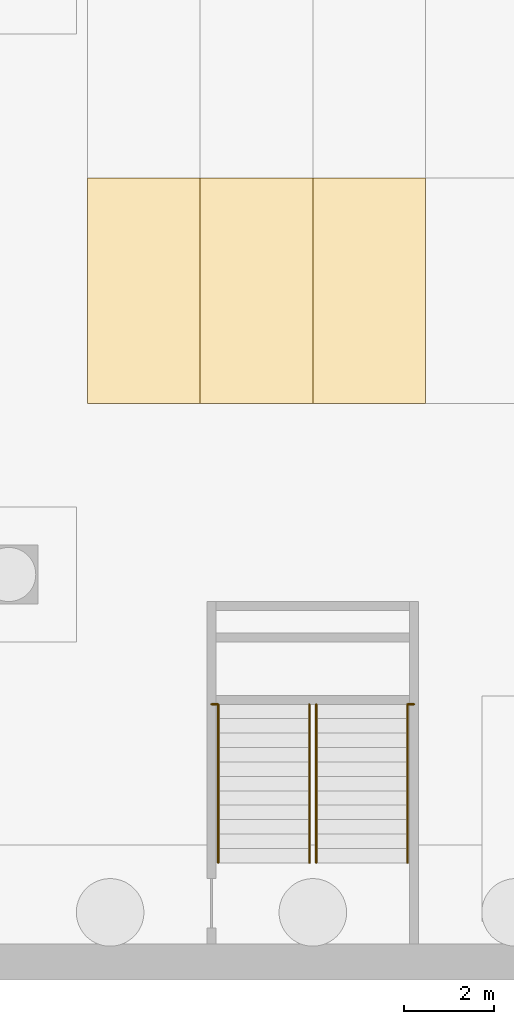
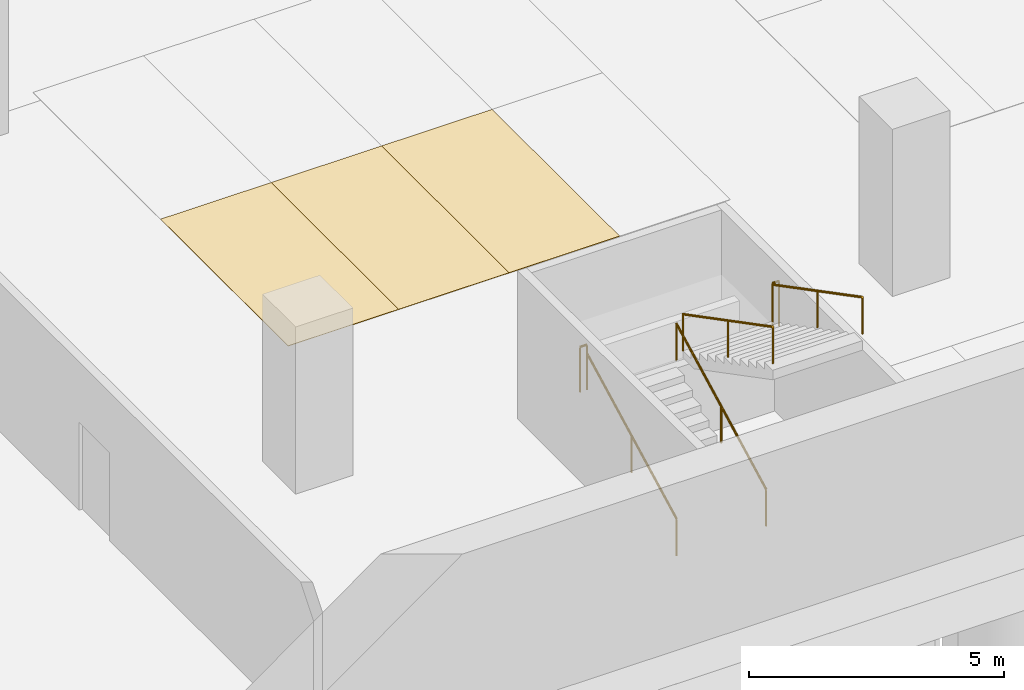
# One storey, part 25 of 40: 6 railings, 3 coverings.
"""IFC4 building model written with IfcOpenShell, lengths in metres."""

from ifc_helpers import new_model, si_unit, direction, frame, origin, origin_2d, place, context, subcontext, project, spatial, polyline, circle, outline, extrude, source, transform, mapped, material, layer, layer_set, type_object, element, save


model = new_model("IFC4")

# Units and contexts
model_context = context("Model", 3, precision=1e-05, world=origin(), true_north=direction((0.0, 1.0)))
body_context = subcontext(model_context, "Body", "Model", "MODEL_VIEW")
ifc_project = project(units=[si_unit("LENGTHUNIT", "METRE"), si_unit("AREAUNIT", "SQUARE_METRE"), si_unit("VOLUMEUNIT", "CUBIC_METRE"), si_unit("PLANEANGLEUNIT", "RADIAN"), si_unit("MASSUNIT", "GRAM", prefix="KILO")], contexts=[model_context])

# Site, building, storey
site_placement = place(None, origin())
site = spatial("IfcSite", under=ifc_project, at=site_placement, CompositionType="ELEMENT")
building_placement = place(site_placement, origin())
building = spatial("IfcBuilding", under=site, at=building_placement, Name="Altepetl Exchange Towers", CompositionType="ELEMENT")
storey_placement = place(building_placement, frame((0.0, 0.0, -8.0)))
storey = spatial("IfcBuildingStorey", under=building, at=storey_placement, Name="B2 Basement parking", CompositionType="ELEMENT", Elevation=-8.0)

# Coverings
ifc_material_1 = material(Name="Road marking paint")
ifc_layer = layer(ifc_material_1, 0.010009765625)
ifc_layer_set = layer_set([ifc_layer], Name="Road marking paint")
covering_type = type_object("IfcCoveringType", Name="Parking bay marking 2500 x 5000", PredefinedType="FLOORING", material=ifc_layer_set)
covering_1_placement = place(storey_placement, origin())
element("IfcCovering", 1, at=covering_1_placement, inside=storey, type_object=covering_type, Name="Parking bay B2-027", PredefinedType="FLOORING", context=body_context, shape_type="SweptSolid", body=[
    extrude(outline(polyline([(24.25, 12.800048828125), (26.75, 12.800048828125), (26.75, 17.800048828125), (24.25, 17.800048828125), (24.25, 12.800048828125)])), origin(), (0.0, 0.0, 1.0), 0.010009765625),
])
covering_2_placement = place(storey_placement, origin())
element("IfcCovering", 2, at=covering_2_placement, inside=storey, type_object=covering_type, Name="Parking bay B2-028", PredefinedType="FLOORING", context=body_context, shape_type="SweptSolid", body=[
    extrude(outline(polyline([(26.75, 12.800048828125), (29.25, 12.800048828125), (29.25, 17.800048828125), (26.75, 17.800048828125), (26.75, 12.800048828125)])), origin(), (0.0, 0.0, 1.0), 0.010009765625),
])
covering_3_placement = place(storey_placement, origin())
element("IfcCovering", 3, at=covering_3_placement, inside=storey, type_object=covering_type, Name="Parking bay B2-029", PredefinedType="FLOORING", context=body_context, shape_type="SweptSolid", body=[
    extrude(outline(polyline([(29.25, 12.800048828125), (31.75, 12.800048828125), (31.75, 17.800048828125), (29.25, 17.800048828125), (29.25, 12.800048828125)])), origin(), (0.0, 0.0, 1.0), 0.010009765625),
])

# Railings
ifc_material_2 = material(Name="Laminated glass and steel", Category="steel")
railing_type_1 = type_object("IfcRailingType", Name="Hall gallery guard 1100", PredefinedType="GUARDRAIL", material=ifc_material_2)
shared_shape_1 = source(origin(), body_context, "Body", "SweptSolid", [
    extrude(circle(Radius=0.02001953125, at=origin_2d()), origin(), (0.0, 0.0, 1.0), 1.050048828125),
])
for number, where, name in (
    (4, (27.0, 6.1201171875, 2.0), "rail:P:B2:ES1land0"),
    (5, (31.35009765625, 6.1201171875, 2.0), "rail:P:B2:ES1land1"),
):
    element("IfcRailing", number, at=place(storey_placement, frame(where)), inside=storey, type_object=railing_type_1, Name=name, PredefinedType="GUARDRAIL", context=body_context, shape_type="SweptSolid", body=[
        extrude(circle(Radius=0.02490234375, at=origin_2d()), frame((0.0, 0.0, 1.0751953125), z_axis=(1.0, 0.0, 0.0), x_axis=(0.0, 1.0, 0.0)), (0.0, 0.0, 1.0), 0.14990234375),
        mapped(shared_shape_1, transform((0.0, 0.0, 0.0))),
        mapped(shared_shape_1, transform((0.14990234375, 0.0, 0.0))),
    ])
ifc_material_3 = material(Name="Stainless steel", Category="steel")
railing_type_2 = type_object("IfcRailingType", Name="Stair handrail 900", PredefinedType="HANDRAIL", material=ifc_material_3)
shared_shape_2 = source(origin(), body_context, "Body", "SweptSolid", [
    extrude(circle(Radius=0.02001953125, at=origin_2d()), origin(), (0.0, 0.0, 1.0), 0.849853515625),
])
for number, where, name in (
    (6, (27.14990234375, 2.60009765625, 0.166748046875), "rail:P:B2:ES1:1a"),
    (7, (29.175048828125, 2.60009765625, 0.166748046875), "rail:P:B2:ES1:1b"),
):
    element("IfcRailing", number, at=place(storey_placement, frame(where)), inside=storey, type_object=railing_type_2, Name=name, PredefinedType="HANDRAIL", context=body_context, shape_type="SweptSolid", body=[
        extrude(circle(Radius=0.02490234375, at=origin_2d()), frame((0.0, 0.0, 0.875), z_axis=(0.0, 0.886923534906, 0.461916272965), x_axis=(-1.0, 0.0, 0.0)), (0.0, 0.0, 1.0), 3.96875),
        mapped(shared_shape_2, transform((0.0, 0.0, 0.0))),
        mapped(shared_shape_2, transform((0.0, 1.760009765625, 0.91650390625))),
        mapped(shared_shape_2, transform((0.0, 3.52001953125, 1.833251953125))),
    ])
for number, where, name in (
    (8, (29.324951171875, 6.1201171875, 2.166748046875), "rail:P:B2:ES1:2a"),
    (9, (31.35009765625, 6.1201171875, 2.166748046875), "rail:P:B2:ES1:2b"),
):
    element("IfcRailing", number, at=place(storey_placement, frame(where)), inside=storey, type_object=railing_type_2, Name=name, PredefinedType="HANDRAIL", context=body_context, shape_type="SweptSolid", body=[
        extrude(circle(Radius=0.02490234375, at=origin_2d()), frame((0.0, 0.0, 0.875), z_axis=(0.0, -0.886923534906, 0.461916272965), x_axis=(1.0, 0.0, 0.0)), (0.0, 0.0, 1.0), 3.96875),
        mapped(shared_shape_2, transform((0.0, 0.0, 0.0))),
        mapped(shared_shape_2, transform((0.0, -1.760009765625, 0.91650390625))),
        mapped(shared_shape_2, transform((0.0, -3.52001953125, 1.833251953125))),
    ])

save(model, "model.ifc")
